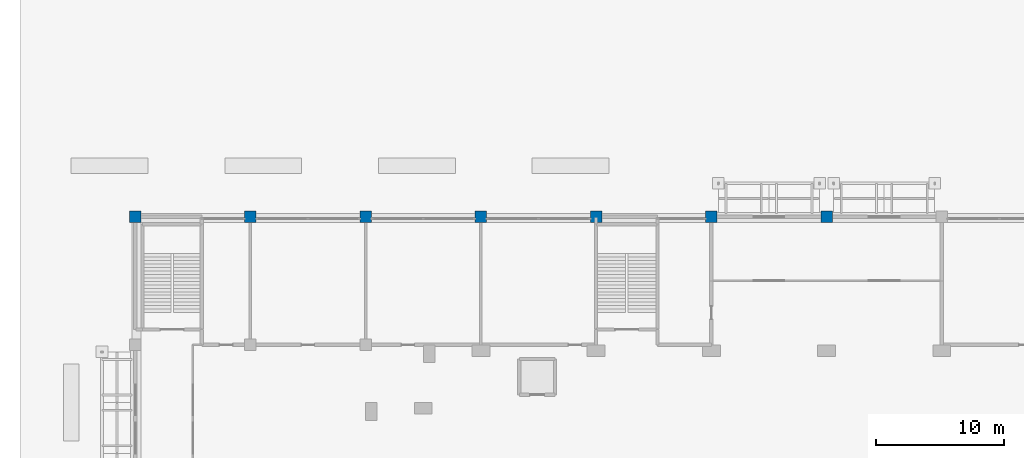
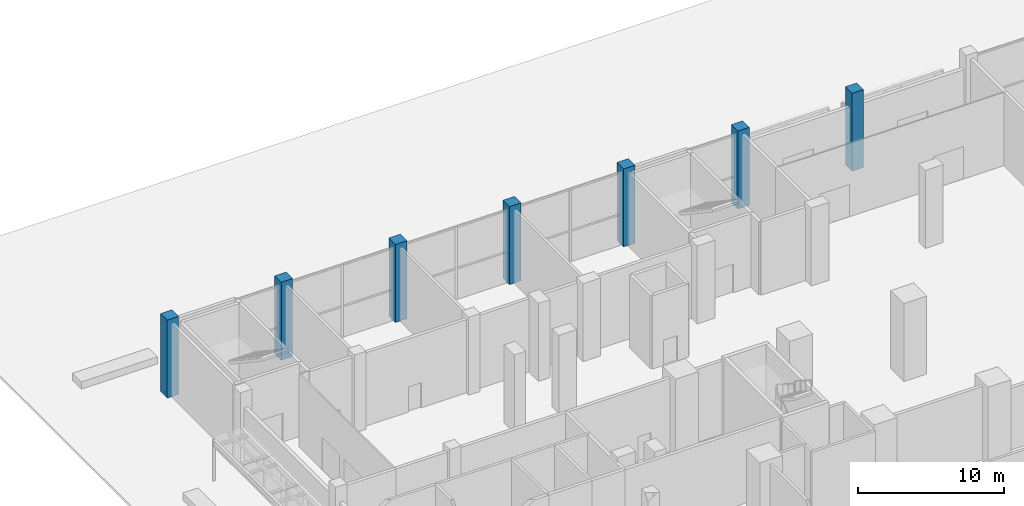
# One storey, part 16 of 39: 7 columns.
"""IFC4 building model written with IfcOpenShell, lengths in metres."""

from ifc_helpers import new_model, si_unit, direction, frame, origin, origin_2d, place, context, subcontext, project, spatial, rectangle, extrude, material, material_profile, profile_set, type_object, element, save


model = new_model("IFC4")

# Units and contexts
model_context = context("Model", 3, precision=1e-05, world=origin(), true_north=direction((0.0, 1.0)))
body_context = subcontext(model_context, "Body", "Model", "MODEL_VIEW")
ifc_project = project(units=[si_unit("LENGTHUNIT", "METRE"), si_unit("AREAUNIT", "SQUARE_METRE"), si_unit("VOLUMEUNIT", "CUBIC_METRE"), si_unit("PLANEANGLEUNIT", "RADIAN"), si_unit("MASSUNIT", "GRAM", prefix="KILO")], contexts=[model_context])

# Site, building, storey
site_placement = place(None, origin())
site = spatial("IfcSite", under=ifc_project, at=site_placement, CompositionType="ELEMENT")
building_placement = place(site_placement, origin())
building = spatial("IfcBuilding", under=site, at=building_placement, Name="Brigalow Station Residences", CompositionType="ELEMENT")
storey_placement = place(building_placement, origin())
storey = spatial("IfcBuildingStorey", under=building, at=storey_placement, Name="L00", CompositionType="ELEMENT", Elevation=0.0)

# Columns
ifc_material = material(Name="Concrete C50", Category="concrete")
ifc_material_profile = material_profile(ifc_material, rectangle(XDim=0.89990234375, YDim=0.89990234375, at=origin_2d()), Name="RC900x900")
ifc_profile_set = profile_set([ifc_material_profile], Name="Concrete C50")
column_type = type_object("IfcColumnType", Name="COLUMN 900x900 C50", PredefinedType="COLUMN", material=ifc_profile_set)
for number, where, z_axis, x_axis, name in (
    (1, (-18.0, 58.5, 0.0), (0.0, 0.0, 1.0), (1.0, 0.0, 0.0), "COLUMN FW2 L00"),
    (2, (-9.0, 58.5, 0.0), (0.0, 0.0, 1.0), (1.0, 0.0, 0.0), "COLUMN FW1 L00"),
    (3, (0.0, 58.5, 0.0), (0.0, 0.0, 1.0), (1.0, 0.0, 0.0), "COLUMN F0 L00"),
    (4, (9.0, 58.5, 0.0), (0.0, 0.0, 1.0), (1.0, 0.0, 0.0), "COLUMN F1 L00"),
    (5, (18.0, 58.5, 0.0), (0.0, 0.0, 1.0), (1.0, 0.0, 0.0), "COLUMN F2 L00"),
    (6, (27.0, 58.5, 0.0), (0.0, 0.0, 1.0), (1.0, 0.0, 0.0), "COLUMN F3 L00"),
    (7, (36.0, 58.5, 0.0), (0.0, 0.0, 1.0), (1.0, 0.0, 0.0), "COLUMN F4 L00"),
):
    element("IfcColumn", number, at=place(storey_placement, frame(where, z_axis=z_axis, x_axis=x_axis)), inside=storey, type_object=column_type, Name=name, PredefinedType="COLUMN", context=body_context, shape_type="SweptSolid", body=[
        extrude(rectangle(XDim=0.89990234375, YDim=0.89990234375, at=origin_2d()), origin(), (0.0, 0.0, 1.0), 6.5),
    ])

save(model, "model.ifc")
